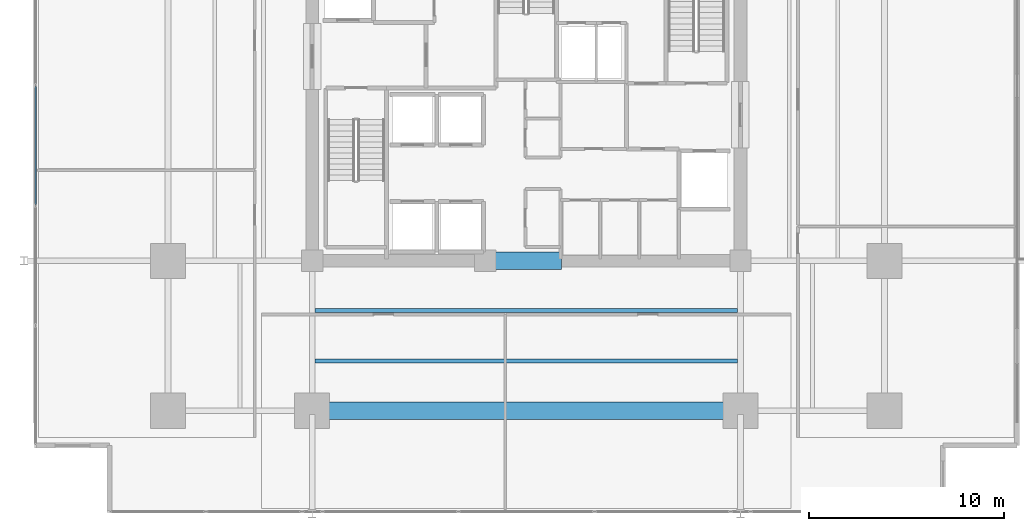
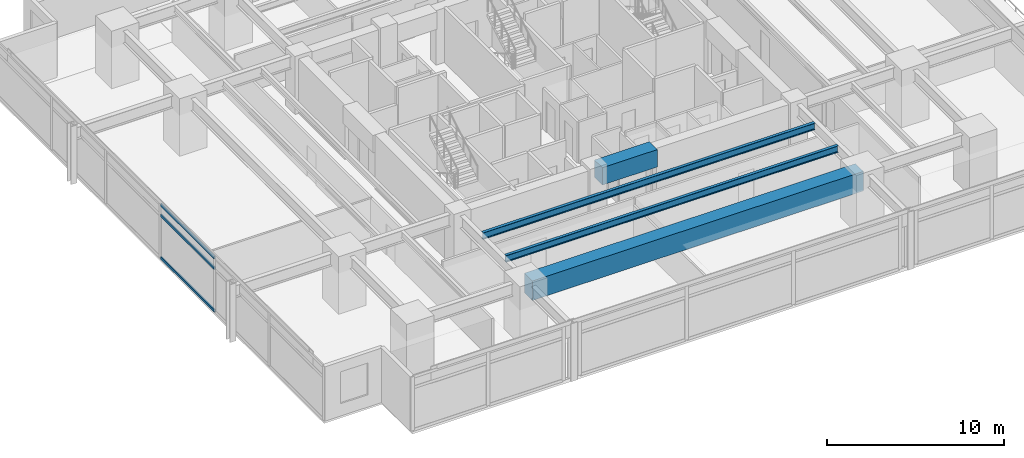
# One storey, part 5 of 20: 4 beams, 3 members, 1 element without a shape of its own.
"""IFC4 building model written with IfcOpenShell, lengths in metres."""

import ifcopenshell
import ifcopenshell.guid

model = None  # the IFC model being written
_history = None  # IfcOwnerHistory: only IFC2X3 demands one
_inside = {}  # id of a spatial element -> (the spatial element, [elements in it])
_under = {}  # id of a project, library or spatial element -> (it, [spatial elements below it])
_declared = {}  # id of a project -> (the project, [libraries it declares])
_typed = {}  # id of a type object -> (the type object, [elements of that type])
_made_of = {}  # id of a material, layer set ... -> (it, [elements and type objects made of it])


def new_model(schema):
    """Start an empty IFC model of exactly this schema.

    Asked for "IFC4X3", IfcOpenShell would pick the latest addendum, in which some entities
    have other attributes; the version numbers below select the first issue.
    IFC2X3 requires an IfcOwnerHistory on every rooted entity: one is made here for all.
    """
    global model, _history
    if schema == "IFC4X3":
        model = ifcopenshell.file(schema_version=(4, 3, 0, 0))
    else:
        model = ifcopenshell.file(schema=schema)
    _inside.clear()
    _under.clear()
    _declared.clear()
    _typed.clear()
    _made_of.clear()
    _history = None
    if model.schema == "IFC2X3":
        org = make("IfcOrganization", Name="unknown")
        user = make(
            "IfcPersonAndOrganization",
            ThePerson=make("IfcPerson", FamilyName="unknown"),
            TheOrganization=org,
        )
        app = make(
            "IfcApplication",
            ApplicationDeveloper=org,
            Version="unknown",
            ApplicationFullName="unknown",
            ApplicationIdentifier="unknown",
        )
        _history = make(
            "IfcOwnerHistory",
            OwningUser=user,
            OwningApplication=app,
            ChangeAction="ADDED",
            CreationDate=0,
        )
    return model


def make(cls, **values):
    """One entity of the class cls with the attributes given. An attribute that is None is left unset."""
    return model.create_entity(
        cls, **{name: value for name, value in values.items() if value is not None}
    )


def rooted(cls, **values):
    """An entity with a GlobalId (a new one), such as an element, a storey or a relation."""
    return make(cls, GlobalId=ifcopenshell.guid.new(), OwnerHistory=_history, **values)


def si_unit(unit_type, name, prefix=None):
    """IfcSIUnit, for example si_unit("LENGTHUNIT", "METRE", prefix="MILLI")."""
    return make("IfcSIUnit", UnitType=unit_type, Prefix=prefix, Name=name)


def assignment(units):
    """IfcUnitAssignment: the units of a project."""
    return None if units is None else make("IfcUnitAssignment", Units=units)


def point(xyz):
    """IfcCartesianPoint."""
    return None if xyz is None else make("IfcCartesianPoint", Coordinates=xyz)


def direction(xyz):
    """IfcDirection."""
    return None if xyz is None else make("IfcDirection", DirectionRatios=xyz)


def frame(location, z_axis=None, x_axis=None):
    """IfcAxis2Placement3D, a coordinate frame: its origin and axes. An axis left out is left unset."""
    return make(
        "IfcAxis2Placement3D",
        Location=point(location),
        Axis=direction(z_axis),
        RefDirection=direction(x_axis),
    )


def frame_2d(location, x_axis=None):
    """IfcAxis2Placement2D, a coordinate frame in the plane: its origin and x axis."""
    return make(
        "IfcAxis2Placement2D", Location=point(location), RefDirection=direction(x_axis)
    )


def origin():
    """The frame at (0, 0, 0) with its axes left unset."""
    return frame((0.0, 0.0, 0.0))


def origin_2d():
    """The frame at (0, 0) in the plane with its x axis left unset."""
    return frame_2d((0.0, 0.0))


def place(relative_to, where):
    """IfcLocalPlacement: puts the frame where relative to a parent placement (None: the world)."""
    return make(
        "IfcLocalPlacement", PlacementRelTo=relative_to, RelativePlacement=where
    )


def context(
    kind, dimensions, precision=None, world=None, true_north=None, identifier=None
):
    """IfcGeometricRepresentationContext, for example the 3D "Model" context."""
    return make(
        "IfcGeometricRepresentationContext",
        ContextIdentifier=identifier,
        ContextType=kind,
        CoordinateSpaceDimension=dimensions,
        Precision=precision,
        WorldCoordinateSystem=world,
        TrueNorth=true_north,
    )


def subcontext(parent, identifier, kind, view, scale=None):
    """IfcGeometricRepresentationSubContext, for example "Body" below "Model"."""
    return make(
        "IfcGeometricRepresentationSubContext",
        ContextIdentifier=identifier,
        ContextType=kind,
        ParentContext=parent,
        TargetScale=scale,
        TargetView=view,
    )


def project(units=None, contexts=None):
    """IfcProject with its units and contexts."""
    return rooted(
        "IfcProject",
        Name="project",
        RepresentationContexts=contexts,
        UnitsInContext=assignment(units),
    )


def spatial(cls, under=None, at=None, **own):
    """A site, building, storey or space (cls), placed at a placement, below another one or the project."""
    s = rooted(cls, ObjectPlacement=at, **own)
    if under is not None:
        _under.setdefault(under.id(), (under, []))[1].append(s)
    return s


def profile(cls, at=None, kind="AREA", **sizes):
    """A parametric profile (cls). Its sizes go by their IFC names, for example OverallWidth=200.0."""
    return make(cls, ProfileType=kind, Position=at, **sizes)


def rectangle(**sizes):
    """IfcRectangleProfileDef."""
    return profile("IfcRectangleProfileDef", **sizes)


def hollow_rectangle(**sizes):
    """IfcRectangleHollowProfileDef."""
    return profile("IfcRectangleHollowProfileDef", **sizes)


def i_section(**sizes):
    """IfcIShapeProfileDef."""
    return profile("IfcIShapeProfileDef", **sizes)


def extrude(swept, where, along, depth):
    """IfcExtrudedAreaSolid: the profile swept, set in the frame where, extruded along a direction by depth."""
    return make(
        "IfcExtrudedAreaSolid",
        SweptArea=swept,
        Position=where,
        ExtrudedDirection=direction(along),
        Depth=depth,
    )


def shape(context_of_items, identifier, shape_type, items):
    """IfcShapeRepresentation: the items that make up one representation, for example the "Body"."""
    return make(
        "IfcShapeRepresentation",
        ContextOfItems=context_of_items,
        RepresentationIdentifier=identifier,
        RepresentationType=shape_type,
        Items=items,
    )


def material(Name=None, Category=None):
    """IfcMaterial."""
    return make("IfcMaterial", Name=Name, Category=Category)


def material_profile(
    of_material, cross_section, Name=None, Category=None, Priority=None
):
    """IfcMaterialProfile: a cross section and its material."""
    return make(
        "IfcMaterialProfile",
        Name=Name,
        Material=of_material,
        Profile=cross_section,
        Priority=Priority,
        Category=Category,
    )


def profile_set(profiles, Name=None, composite=None):
    """IfcMaterialProfileSet."""
    return make(
        "IfcMaterialProfileSet",
        Name=Name,
        MaterialProfiles=profiles,
        CompositeProfile=composite,
    )


def made_of(thing, what):
    """Note that an element or type object is made of a material, layer set ...; save() writes the relation."""
    if what is not None:
        _made_of.setdefault(what.id(), (what, []))[1].append(thing)
    return thing


def type_object(cls, material=None, **own):
    """A type object (cls), such as IfcWallType, which elements share."""
    return made_of(rooted(cls, **own), material)


def element(
    cls,
    number,
    at=None,
    inside=None,
    cuts=None,
    type_object=None,
    material=None,
    context=None,
    identifier="Body",
    shape_type=None,
    held_by="IfcProductDefinitionShape",
    body=None,
    shapes=None,
    **own,
):
    """One element of the class cls, such as IfcWall. Its Tag is "e" and its number.

    at: its placement. inside: the storey or other place that contains it. cuts: it is an
    opening in that element (IfcRelVoidsElement). A single representation is given by context,
    identifier, shape_type and body (its items); several are given by shapes. held_by: the class
    of the entity that holds the representations. save() writes the other relations.
    """
    e = rooted(cls, Tag="e%d" % number, ObjectPlacement=at, **own)
    if body is not None:
        shapes = [shape(context, identifier, shape_type, body)]
    if shapes is not None:
        e.Representation = make(held_by, Representations=shapes)
    if inside is not None:
        _inside.setdefault(inside.id(), (inside, []))[1].append(e)
    if cuts is not None:
        rooted(
            "IfcRelVoidsElement", RelatingBuildingElement=cuts, RelatedOpeningElement=e
        )
    if type_object is not None:
        _typed.setdefault(type_object.id(), (type_object, []))[1].append(e)
    return made_of(e, material)


def aggregate(whole, parts):
    """IfcRelAggregates: a whole, such as a stair, and the parts it consists of."""
    return rooted("IfcRelAggregates", RelatingObject=whole, RelatedObjects=parts)


def save(model, path):
    """Write the relations noted so far, then the file.

    IfcRelAggregates (storeys below a building ...), IfcRelContainedInSpatialStructure (elements
    in a storey), IfcRelDefinesByType, IfcRelAssociatesMaterial and IfcRelDeclares: one each for
    every whole, place, type object, material and project.
    """
    for whole, parts in _under.values():
        aggregate(whole, parts)
    for where, things in _inside.values():
        rooted(
            "IfcRelContainedInSpatialStructure",
            RelatedElements=things,
            RelatingStructure=where,
        )
    for kind, things in _typed.values():
        rooted("IfcRelDefinesByType", RelatedObjects=things, RelatingType=kind)
    for what, things in _made_of.values():
        rooted("IfcRelAssociatesMaterial", RelatedObjects=things, RelatingMaterial=what)
    for by, libraries in _declared.values():
        rooted("IfcRelDeclares", RelatingContext=by, RelatedDefinitions=libraries)
    model.write(path)


model = new_model("IFC4")

# Units and contexts
model_context = context("Model", 3, precision=1e-05, world=origin(), true_north=direction((0.0, 1.0)))
body_context = subcontext(model_context, "Body", "Model", "MODEL_VIEW")
ifc_project = project(units=[si_unit("LENGTHUNIT", "METRE"), si_unit("AREAUNIT", "SQUARE_METRE"), si_unit("VOLUMEUNIT", "CUBIC_METRE"), si_unit("PLANEANGLEUNIT", "RADIAN"), si_unit("MASSUNIT", "GRAM", prefix="KILO")], contexts=[model_context])

# Site, building, storey
site_placement = place(None, origin())
site = spatial("IfcSite", under=ifc_project, at=site_placement, CompositionType="ELEMENT")
building_placement = place(site_placement, origin())
building = spatial("IfcBuilding", under=site, at=building_placement, Name="Kovane Verandah Tower", CompositionType="ELEMENT")
storey_placement = place(building_placement, frame((0.0, 0.0, 39.60009765625)))
storey = spatial("IfcBuildingStorey", under=building, at=storey_placement, Name="L08", CompositionType="ELEMENT", Elevation=39.60009765625)

# Beams
ifc_material_1 = material(Name="Concrete C80/95", Category="concrete")
ifc_material_profile_1 = material_profile(ifc_material_1, rectangle(XDim=0.89990234375, YDim=1.199951171875, at=origin_2d()), Name="RCB900x1200")
ifc_profile_set_1 = profile_set([ifc_material_profile_1], Name="Concrete C80/95")
beam_type_1 = type_object("IfcBeamType", Name="BM-LINTEL-900x1200", PredefinedType="LINTEL", material=ifc_profile_set_1)
beam_1_placement = place(storey_placement, frame((38.199951171875, 18.5, 3.159912109375), z_axis=(1.0, 0.0, 0.0), x_axis=(0.0, 1.0, 0.0)))
element("IfcBeam", 1, at=beam_1_placement, inside=storey, type_object=beam_type_1, Name="L08 Core Coupling Lintel CL-S", PredefinedType="LINTEL", context=body_context, shape_type="SweptSolid", body=[
    extrude(rectangle(XDim=0.89990234375, YDim=1.199951171875, at=origin_2d()), origin(), (0.0, 0.0, 1.0), 3.60009765625),
])
ifc_material_profile_2 = material_profile(ifc_material_1, rectangle(XDim=0.89990234375, YDim=1.35009765625, at=origin_2d()), Name="RCB900x1350")
ifc_profile_set_2 = profile_set([ifc_material_profile_2], Name="Concrete C80/95")
beam_type_2 = type_object("IfcBeamType", Name="BM-TR-900x1350", PredefinedType="BEAM", material=ifc_profile_set_2)
beam_2_placement = place(storey_placement, frame((29.179931640625, 10.800048828125, 3.0849609375), z_axis=(1.0, 0.0, 0.0), x_axis=(0.0, 1.0, 0.0)))
element("IfcBeam", 2, at=beam_2_placement, inside=storey, type_object=beam_type_2, Name="L08 Primary Tower Girder G-RS2", PredefinedType="BEAM", context=body_context, shape_type="SweptSolid", body=[
    extrude(rectangle(XDim=0.89990234375, YDim=1.35009765625, at=origin_2d()), origin(), (0.0, 0.0, 1.0), 21.64013671875),
])

# Curtain wall, members
ifc_material_2 = material(Name="Champagne Anodised Aluminium Frame with Low-E Clear Laminated Glass", Category="aluminium")
curtain_wall_type = type_object("IfcCurtainWallType", Name="CW-SYS-02-LOW", PredefinedType="NOTDEFINED", material=ifc_material_2)
curtain_wall_placement = place(storey_placement, origin())
curtain_wall = element("IfcCurtainWall", 3, at=curtain_wall_placement, inside=storey, type_object=curtain_wall_type, Name="L08 W Unitised Curtain Wall", PredefinedType="NOTDEFINED")
ifc_material_3 = material(Name="Champagne Anodised Aluminium 6063-T6", Category="aluminium")
ifc_material_profile_3 = material_profile(ifc_material_3, hollow_rectangle(XDim=0.0849609375, YDim=0.18994140625, WallThickness=0.00390625, at=origin_2d()), Name="AL85x190x4")
ifc_profile_set_3 = profile_set([ifc_material_profile_3], Name="Champagne Anodised Aluminium 6063-T6")
member_type = type_object("IfcMemberType", Name="CW-TRN-85x190", PredefinedType="USERDEFINED", material=ifc_profile_set_3)
member_1_placement = place(storey_placement, frame((14.796875, 27.449951171875, 0.0498046875), z_axis=(0.0, -1.0, 0.0), x_axis=(1.0, 0.0, 0.0)))
member_1 = element("IfcMember", 4, at=member_1_placement, type_object=member_type, Name="L08 W Unitised Curtain Wall Transom TB Bay 4", ObjectType="TRANSOM", PredefinedType="USERDEFINED", context=body_context, shape_type="SweptSolid", body=[
    extrude(hollow_rectangle(XDim=0.0849609375, YDim=0.18994140625, WallThickness=0.00390625, at=origin_2d()), origin(), (0.0, 0.0, 1.0), 6.060546875),
])
member_2_placement = place(storey_placement, frame((14.796875, 27.449951171875, 2.97998046875), z_axis=(0.0, -1.0, 0.0), x_axis=(1.0, 0.0, 0.0)))
member_2 = element("IfcMember", 5, at=member_2_placement, type_object=member_type, Name="L08 W Unitised Curtain Wall Transom TM Bay 4", ObjectType="TRANSOM", PredefinedType="USERDEFINED", context=body_context, shape_type="SweptSolid", body=[
    extrude(hollow_rectangle(XDim=0.0849609375, YDim=0.18994140625, WallThickness=0.00390625, at=origin_2d()), origin(), (0.0, 0.0, 1.0), 6.060546875),
])
member_3_placement = place(storey_placement, frame((14.796875, 27.449951171875, 3.7099609375), z_axis=(0.0, -1.0, 0.0), x_axis=(1.0, 0.0, 0.0)))
member_3 = element("IfcMember", 6, at=member_3_placement, type_object=member_type, Name="L08 W Unitised Curtain Wall Transom TT Bay 4", ObjectType="TRANSOM", PredefinedType="USERDEFINED", context=body_context, shape_type="SweptSolid", body=[
    extrude(hollow_rectangle(XDim=0.0849609375, YDim=0.18994140625, WallThickness=0.00390625, at=origin_2d()), origin(), (0.0, 0.0, 1.0), 6.060546875),
])
aggregate(curtain_wall, [member_1, member_2, member_3])

# Beams
ifc_material_4 = material(Name="Steel S355", Category="steel")
ifc_material_profile_4 = material_profile(ifc_material_4, i_section(OverallWidth=0.19287109375, OverallDepth=0.46728515625, WebThickness=0.011474609375, FlangeThickness=0.01953125, FilletRadius=0.01025390625, at=origin_2d()), Name="UB457x191x98")
ifc_profile_set_4 = profile_set([ifc_material_profile_4], Name="Steel S355")
beam_type_3 = type_object("IfcBeamType", Name="JST-UB457x98", PredefinedType="JOIST", material=ifc_profile_set_4)
for number, where, z_axis, x_axis, name in (
    (7, (29.14501953125, 13.35009765625, 3.5263671875), (1.0, 0.0, 0.0), (0.0, 1.0, 0.0), "L08 Secondary Composite Joist J-S1"),
    (8, (29.14501953125, 15.949951171875, 3.5263671875), (1.0, 0.0, 0.0), (0.0, 1.0, 0.0), "L08 Secondary Composite Joist J-S2"),
):
    element("IfcBeam", number, at=place(storey_placement, frame(where, z_axis=z_axis, x_axis=x_axis)), inside=storey, type_object=beam_type_3, Name=name, PredefinedType="JOIST", context=body_context, shape_type="SweptSolid", body=[
        extrude(i_section(OverallWidth=0.19287109375, OverallDepth=0.46728515625, WebThickness=0.011474609375, FlangeThickness=0.01953125, FilletRadius=0.01025390625, at=origin_2d()), origin(), (0.0, 0.0, 1.0), 21.7099609375),
    ])

save(model, "model.ifc")
